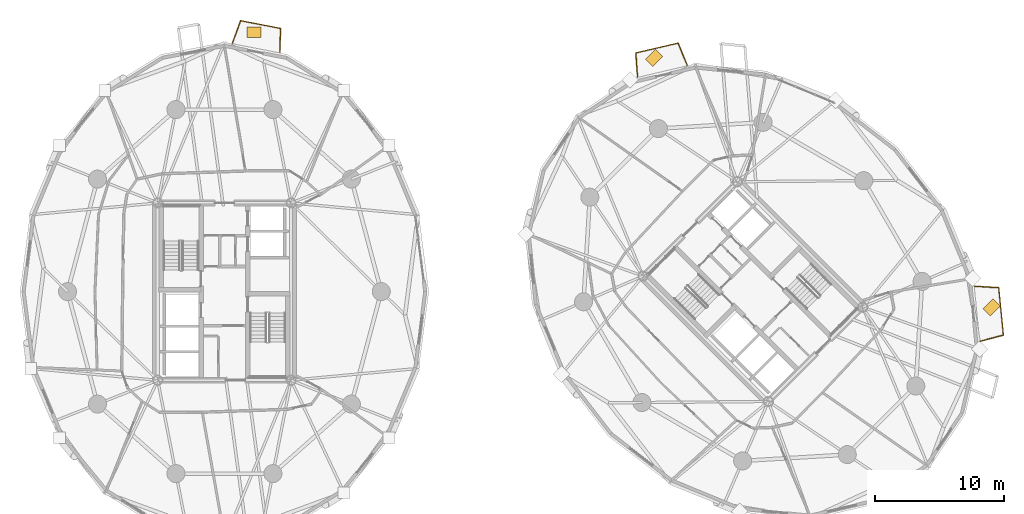
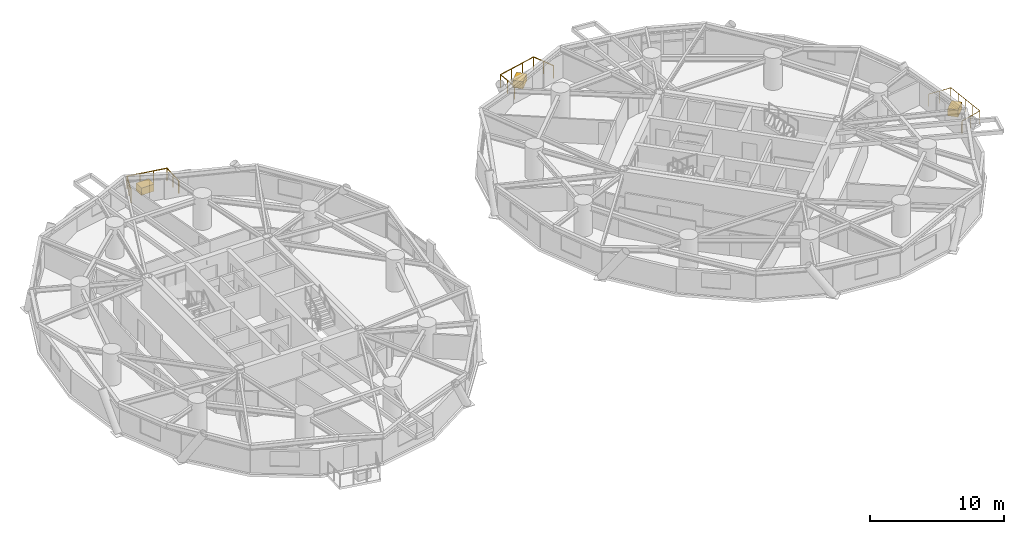
# One storey, part 18 of 18: 3 coverings, 3 railings.
"""IFC4 building model written with IfcOpenShell, lengths in metres."""

from ifc_helpers import new_model, si_unit, direction, frame, origin, origin_2d, place, context, subcontext, project, spatial, rectangle, circle, extrude, source, transform, mapped, material, layer, layer_set, type_object, element, save


model = new_model("IFC4")

# Units and contexts
model_context = context("Model", 3, precision=1e-05, world=origin(), true_north=direction((0.0, 1.0)))
body_context = subcontext(model_context, "Body", "Model", "MODEL_VIEW")
ifc_project = project(units=[si_unit("LENGTHUNIT", "METRE"), si_unit("AREAUNIT", "SQUARE_METRE"), si_unit("VOLUMEUNIT", "CUBIC_METRE"), si_unit("PLANEANGLEUNIT", "RADIAN"), si_unit("MASSUNIT", "GRAM", prefix="KILO")], contexts=[model_context])

# Site, building, storey
site_placement = place(None, origin())
site = spatial("IfcSite", under=ifc_project, at=site_placement, CompositionType="ELEMENT")
building_placement = place(site_placement, origin())
building = spatial("IfcBuilding", under=site, at=building_placement, Name="Cununo Teusaquillo Station Towers", CompositionType="ELEMENT")
storey_placement = place(building_placement, frame((0.0, 0.0, 119.6201171875)))
storey = spatial("IfcBuildingStorey", under=building, at=storey_placement, Name="L38", CompositionType="ELEMENT", Elevation=119.6201171875)

# Railings
ifc_material_1 = material(Name="Anodised dark bronze aluminium EN AW-6063-T6", Category="aluminium")
railing_type = type_object("IfcRailingType", Name="RL-EXT-GUARD", PredefinedType="GUARDRAIL", material=ifc_material_1)
railing_1_placement = place(storey_placement, frame((17.1181640625, 43.771728515625, 0.0)))
element("IfcRailing", 1, at=railing_1_placement, inside=storey, type_object=railing_type, Name="L38 Tower A Balcony Guardrail C04", PredefinedType="GUARDRAIL", context=body_context, shape_type="SweptSolid", body=[
    extrude(circle(Radius=0.02392578125, at=origin_2d()), frame((0.0, 0.0, 1.1259765625), z_axis=(0.343962021681, 0.9389835609, 0.0), x_axis=(-0.9389835609, 0.343962021681, 0.0)), (0.0, 0.0, 1.0), 1.86328125),
    extrude(circle(Radius=0.02392578125, at=origin_2d()), frame((0.640869140625, 1.74951171875, 1.1259765625), z_axis=(0.981834317938, -0.189740275429, 0.0), x_axis=(0.189740275429, 0.981834317938, 0.0)), (0.0, 0.0, 1.0), 3.15380859375),
    extrude(circle(Radius=0.02392578125, at=origin_2d()), frame((3.7373046875, 1.151123046875, 1.1259765625), z_axis=(-0.030662031384, -0.999529809376, 0.0), x_axis=(0.999529809376, -0.030662031384, 0.0)), (0.0, 0.0, 1.0), 1.86328125),
    extrude(circle(Radius=0.02099609375, at=origin_2d()), origin(), (0.0, 0.0, 1.0), 1.101806640625),
    extrude(circle(Radius=0.02099609375, at=origin_2d()), frame((0.3203125, 0.874755859375, 0.0)), (0.0, 0.0, 1.0), 1.101806640625),
    extrude(circle(Radius=0.02099609375, at=origin_2d()), frame((0.640869140625, 1.74951171875, 0.0)), (0.0, 0.0, 1.0), 1.101806640625),
    extrude(circle(Radius=0.02099609375, at=origin_2d()), frame((1.673095703125, 1.550048828125, 0.0)), (0.0, 0.0, 1.0), 1.101806640625),
    extrude(circle(Radius=0.02099609375, at=origin_2d()), frame((2.705078125, 1.3505859375, 0.0)), (0.0, 0.0, 1.0), 1.101806640625),
    extrude(circle(Radius=0.02099609375, at=origin_2d()), frame((3.7373046875, 1.151123046875, 0.0)), (0.0, 0.0, 1.0), 1.101806640625),
    extrude(circle(Radius=0.02099609375, at=origin_2d()), frame((3.708740234375, 0.219970703125, 0.0)), (0.0, 0.0, 1.0), 1.101806640625),
    extrude(circle(Radius=0.02099609375, at=origin_2d()), frame((3.68017578125, -0.711181640625, 0.0)), (0.0, 0.0, 1.0), 1.101806640625),
])
railing_2_placement = place(storey_placement, frame((48.55029296875, 41.15771484375, 0.0)))
element("IfcRailing", 2, at=railing_2_placement, inside=storey, type_object=railing_type, Name="L38 Tower B Balcony Guardrail C03", PredefinedType="GUARDRAIL", context=body_context, shape_type="SweptSolid", body=[
    extrude(circle(Radius=0.02392578125, at=origin_2d()), frame((0.0, 0.0, 1.1259765625), z_axis=(-0.069053440488, 0.997612962204, 0.0), x_axis=(-0.997612962204, -0.069053440488, 0.0)), (0.0, 0.0, 1.0), 1.86669921875),
    extrude(circle(Radius=0.02392578125, at=origin_2d()), frame((-0.12890625, 1.8623046875, 1.1259765625), z_axis=(0.973836929395, 0.227247959168, 0.0), x_axis=(-0.227247959168, 0.973836929395, 0.0)), (0.0, 0.0, 1.0), 3.365966796875),
    extrude(circle(Radius=0.02392578125, at=origin_2d()), frame((3.14892578125, 2.627197265625, 1.1259765625), z_axis=(0.379585063145, -0.925156840669, 0.0), x_axis=(0.925156840669, 0.379585063145, 0.0)), (0.0, 0.0, 1.0), 1.866455078125),
    extrude(circle(Radius=0.02099609375, at=origin_2d()), origin(), (0.0, 0.0, 1.0), 1.101806640625),
    extrude(circle(Radius=0.02099609375, at=origin_2d()), frame((-0.064453125, 0.93115234375, 0.0)), (0.0, 0.0, 1.0), 1.101806640625),
    extrude(circle(Radius=0.02099609375, at=origin_2d()), frame((-0.12890625, 1.8623046875, 0.0)), (0.0, 0.0, 1.0), 1.101806640625),
    extrude(circle(Radius=0.02099609375, at=origin_2d()), frame((0.963623046875, 2.1171875, 0.0)), (0.0, 0.0, 1.0), 1.101806640625),
    extrude(circle(Radius=0.02099609375, at=origin_2d()), frame((2.056396484375, 2.372314453125, 0.0)), (0.0, 0.0, 1.0), 1.101806640625),
    extrude(circle(Radius=0.02099609375, at=origin_2d()), frame((3.14892578125, 2.627197265625, 0.0)), (0.0, 0.0, 1.0), 1.101806640625),
    extrude(circle(Radius=0.02099609375, at=origin_2d()), frame((3.503173828125, 1.763671875, 0.0)), (0.0, 0.0, 1.0), 1.101806640625),
    extrude(circle(Radius=0.02099609375, at=origin_2d()), frame((3.857421875, 0.900390625, 0.0)), (0.0, 0.0, 1.0), 1.101806640625),
])
railing_3_placement = place(storey_placement, frame((74.7138671875, 24.914306640625, 0.0)))
element("IfcRailing", 3, at=railing_3_placement, inside=storey, type_object=railing_type, Name="L38 Tower B Balcony Guardrail C17", PredefinedType="GUARDRAIL", context=body_context, shape_type="SweptSolid", body=[
    extrude(circle(Radius=0.02392578125, at=origin_2d()), frame((0.0, 0.0, 1.1259765625), z_axis=(0.998126483753, -0.061184331575, 0.0), x_axis=(0.061184331575, 0.998126483753, 0.0)), (0.0, 0.0, 1.0), 1.871337890625),
    extrude(circle(Radius=0.02392578125, at=origin_2d()), frame((1.867919921875, -0.114501953125, 1.1259765625), z_axis=(0.098593628704, -0.99512777892, 0.0), x_axis=(0.99512777892, 0.098593628704, 0.0)), (0.0, 0.0, 1.0), 3.692138671875),
    extrude(circle(Radius=0.02392578125, at=origin_2d()), frame((2.23193359375, -3.78857421875, 1.1259765625), z_axis=(-0.966720413281, -0.255835186295, 0.0), x_axis=(0.255835186295, -0.966720413281, 0.0)), (0.0, 0.0, 1.0), 1.871337890625),
    extrude(circle(Radius=0.02099609375, at=origin_2d()), origin(), (0.0, 0.0, 1.0), 1.101806640625),
    extrude(circle(Radius=0.02099609375, at=origin_2d()), frame((0.93408203125, -0.05712890625, 0.0)), (0.0, 0.0, 1.0), 1.101806640625),
    extrude(circle(Radius=0.02099609375, at=origin_2d()), frame((1.867919921875, -0.114501953125, 0.0)), (0.0, 0.0, 1.0), 1.101806640625),
    extrude(circle(Radius=0.02099609375, at=origin_2d()), frame((1.958984375, -1.032958984375, 0.0)), (0.0, 0.0, 1.0), 1.101806640625),
    extrude(circle(Radius=0.02099609375, at=origin_2d()), frame((2.0498046875, -1.95166015625, 0.0)), (0.0, 0.0, 1.0), 1.101806640625),
    extrude(circle(Radius=0.02099609375, at=origin_2d()), frame((2.140869140625, -2.8701171875, 0.0)), (0.0, 0.0, 1.0), 1.101806640625),
    extrude(circle(Radius=0.02099609375, at=origin_2d()), frame((2.23193359375, -3.78857421875, 0.0)), (0.0, 0.0, 1.0), 1.101806640625),
    extrude(circle(Radius=0.02099609375, at=origin_2d()), frame((1.327392578125, -4.02783203125, 0.0)), (0.0, 0.0, 1.0), 1.101806640625),
    extrude(circle(Radius=0.02099609375, at=origin_2d()), frame((0.4228515625, -4.267333984375, 0.0)), (0.0, 0.0, 1.0), 1.101806640625),
])

# Coverings
ifc_material_2 = material(Name="Architectural GRC planter shell and engineered root-zone substrate", Category="concrete")
ifc_layer = layer(ifc_material_2, 0.64990234375)
ifc_layer_set = layer_set([ifc_layer], Name="Architectural GRC planter shell and engineered root-zone substrate")
covering_type = type_object("IfcCoveringType", Name="COV-TREE-PLANTER", PredefinedType="CLADDING", material=ifc_layer_set)
shared_shape = source(origin(), body_context, "Body", "SweptSolid", [
    extrude(rectangle(XDim=1.10009765625, YDim=0.800048828125, at=origin_2d()), origin(), (0.0, 0.0, 1.0), 0.64990234375),
])
for number, where, z_axis, x_axis, name in (
    (4, (18.7978515625, 44.614501953125, 0.0), (0.0, 0.0, 1.0), (1.0, 0.0, 0.0), "L38 Tower A Balcony Tree PLANTER C04"),
    (5, (49.84326171875, 42.63818359375, 0.0), (0.0, 0.0, 1.0), (0.707106781187, 0.707106781187, 0.0), "L38 Tower B Balcony Tree PLANTER C03"),
    (6, (76.031494140625, 23.277099609375, 0.0), (0.0, 0.0, 1.0), (0.707106781187, 0.707106781187, 0.0), "L38 Tower B Balcony Tree PLANTER C17"),
):
    element("IfcCovering", number, at=place(storey_placement, frame(where, z_axis=z_axis, x_axis=x_axis)), inside=storey, type_object=covering_type, Name=name, PredefinedType="CLADDING", context=body_context, shape_type="MappedRepresentation", body=[
        mapped(shared_shape, transform((0.0, 0.0, 0.0), x_axis=(1.0, 0.0, 0.0), y_axis=(0.0, 1.0, 0.0), z_axis=(0.0, 0.0, 1.0), scale=1.0)),
    ])

save(model, "model.ifc")
